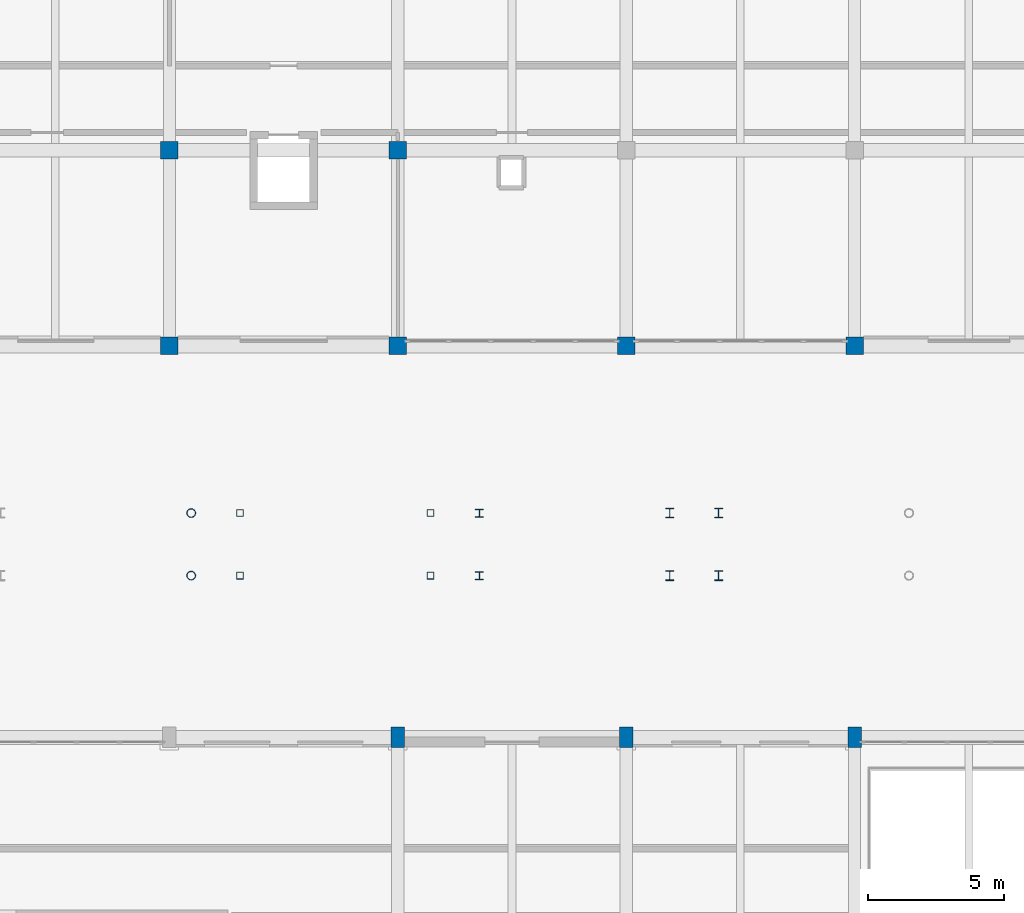
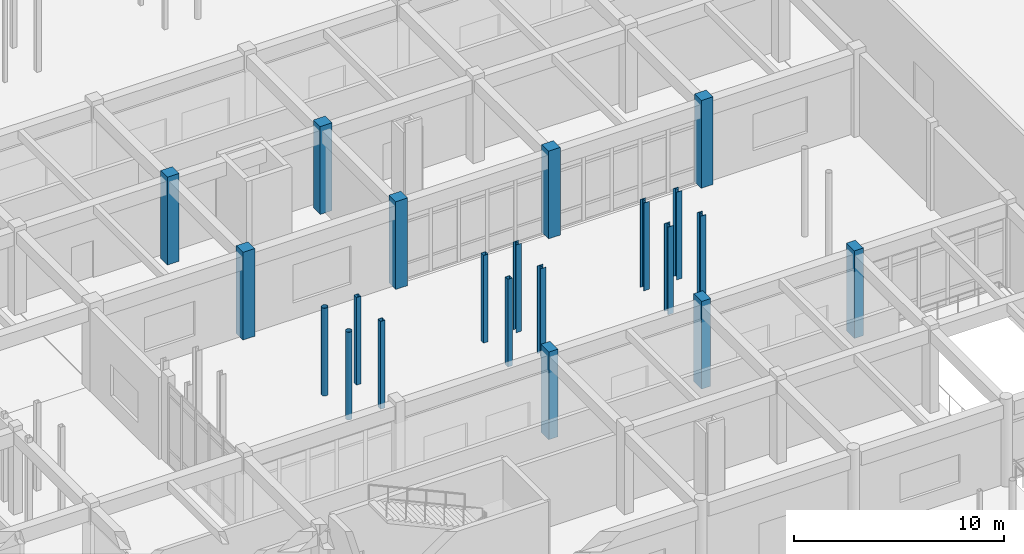
# One storey, part 21 of 121: 21 columns.
"""IFC4 building model written with IfcOpenShell, lengths in metres."""

import ifcopenshell
import ifcopenshell.guid

model = None  # the IFC model being written
_history = None  # IfcOwnerHistory: only IFC2X3 demands one
_inside = {}  # id of a spatial element -> (the spatial element, [elements in it])
_under = {}  # id of a project, library or spatial element -> (it, [spatial elements below it])
_declared = {}  # id of a project -> (the project, [libraries it declares])
_typed = {}  # id of a type object -> (the type object, [elements of that type])
_made_of = {}  # id of a material, layer set ... -> (it, [elements and type objects made of it])


def new_model(schema):
    """Start an empty IFC model of exactly this schema.

    Asked for "IFC4X3", IfcOpenShell would pick the latest addendum, in which some entities
    have other attributes; the version numbers below select the first issue.
    IFC2X3 requires an IfcOwnerHistory on every rooted entity: one is made here for all.
    """
    global model, _history
    if schema == "IFC4X3":
        model = ifcopenshell.file(schema_version=(4, 3, 0, 0))
    else:
        model = ifcopenshell.file(schema=schema)
    _inside.clear()
    _under.clear()
    _declared.clear()
    _typed.clear()
    _made_of.clear()
    _history = None
    if model.schema == "IFC2X3":
        org = make("IfcOrganization", Name="unknown")
        user = make(
            "IfcPersonAndOrganization",
            ThePerson=make("IfcPerson", FamilyName="unknown"),
            TheOrganization=org,
        )
        app = make(
            "IfcApplication",
            ApplicationDeveloper=org,
            Version="unknown",
            ApplicationFullName="unknown",
            ApplicationIdentifier="unknown",
        )
        _history = make(
            "IfcOwnerHistory",
            OwningUser=user,
            OwningApplication=app,
            ChangeAction="ADDED",
            CreationDate=0,
        )
    return model


def make(cls, **values):
    """One entity of the class cls with the attributes given. An attribute that is None is left unset."""
    return model.create_entity(
        cls, **{name: value for name, value in values.items() if value is not None}
    )


def rooted(cls, **values):
    """An entity with a GlobalId (a new one), such as an element, a storey or a relation."""
    return make(cls, GlobalId=ifcopenshell.guid.new(), OwnerHistory=_history, **values)


def si_unit(unit_type, name, prefix=None):
    """IfcSIUnit, for example si_unit("LENGTHUNIT", "METRE", prefix="MILLI")."""
    return make("IfcSIUnit", UnitType=unit_type, Prefix=prefix, Name=name)


def assignment(units):
    """IfcUnitAssignment: the units of a project."""
    return None if units is None else make("IfcUnitAssignment", Units=units)


def point(xyz):
    """IfcCartesianPoint."""
    return None if xyz is None else make("IfcCartesianPoint", Coordinates=xyz)


def direction(xyz):
    """IfcDirection."""
    return None if xyz is None else make("IfcDirection", DirectionRatios=xyz)


def frame(location, z_axis=None, x_axis=None):
    """IfcAxis2Placement3D, a coordinate frame: its origin and axes. An axis left out is left unset."""
    return make(
        "IfcAxis2Placement3D",
        Location=point(location),
        Axis=direction(z_axis),
        RefDirection=direction(x_axis),
    )


def frame_2d(location, x_axis=None):
    """IfcAxis2Placement2D, a coordinate frame in the plane: its origin and x axis."""
    return make(
        "IfcAxis2Placement2D", Location=point(location), RefDirection=direction(x_axis)
    )


def origin():
    """The frame at (0, 0, 0) with its axes left unset."""
    return frame((0.0, 0.0, 0.0))


def origin_2d():
    """The frame at (0, 0) in the plane with its x axis left unset."""
    return frame_2d((0.0, 0.0))


def place(relative_to, where):
    """IfcLocalPlacement: puts the frame where relative to a parent placement (None: the world)."""
    return make(
        "IfcLocalPlacement", PlacementRelTo=relative_to, RelativePlacement=where
    )


def context(
    kind, dimensions, precision=None, world=None, true_north=None, identifier=None
):
    """IfcGeometricRepresentationContext, for example the 3D "Model" context."""
    return make(
        "IfcGeometricRepresentationContext",
        ContextIdentifier=identifier,
        ContextType=kind,
        CoordinateSpaceDimension=dimensions,
        Precision=precision,
        WorldCoordinateSystem=world,
        TrueNorth=true_north,
    )


def subcontext(parent, identifier, kind, view, scale=None):
    """IfcGeometricRepresentationSubContext, for example "Body" below "Model"."""
    return make(
        "IfcGeometricRepresentationSubContext",
        ContextIdentifier=identifier,
        ContextType=kind,
        ParentContext=parent,
        TargetScale=scale,
        TargetView=view,
    )


def project(units=None, contexts=None):
    """IfcProject with its units and contexts."""
    return rooted(
        "IfcProject",
        Name="project",
        RepresentationContexts=contexts,
        UnitsInContext=assignment(units),
    )


def spatial(cls, under=None, at=None, **own):
    """A site, building, storey or space (cls), placed at a placement, below another one or the project."""
    s = rooted(cls, ObjectPlacement=at, **own)
    if under is not None:
        _under.setdefault(under.id(), (under, []))[1].append(s)
    return s


def profile(cls, at=None, kind="AREA", **sizes):
    """A parametric profile (cls). Its sizes go by their IFC names, for example OverallWidth=200.0."""
    return make(cls, ProfileType=kind, Position=at, **sizes)


def rectangle(**sizes):
    """IfcRectangleProfileDef."""
    return profile("IfcRectangleProfileDef", **sizes)


def hollow_rectangle(**sizes):
    """IfcRectangleHollowProfileDef."""
    return profile("IfcRectangleHollowProfileDef", **sizes)


def hollow_circle(**sizes):
    """IfcCircleHollowProfileDef."""
    return profile("IfcCircleHollowProfileDef", **sizes)


def i_section(**sizes):
    """IfcIShapeProfileDef."""
    return profile("IfcIShapeProfileDef", **sizes)


def extrude(swept, where, along, depth):
    """IfcExtrudedAreaSolid: the profile swept, set in the frame where, extruded along a direction by depth."""
    return make(
        "IfcExtrudedAreaSolid",
        SweptArea=swept,
        Position=where,
        ExtrudedDirection=direction(along),
        Depth=depth,
    )


def shape(context_of_items, identifier, shape_type, items):
    """IfcShapeRepresentation: the items that make up one representation, for example the "Body"."""
    return make(
        "IfcShapeRepresentation",
        ContextOfItems=context_of_items,
        RepresentationIdentifier=identifier,
        RepresentationType=shape_type,
        Items=items,
    )


def material(Name=None, Category=None):
    """IfcMaterial."""
    return make("IfcMaterial", Name=Name, Category=Category)


def material_profile(
    of_material, cross_section, Name=None, Category=None, Priority=None
):
    """IfcMaterialProfile: a cross section and its material."""
    return make(
        "IfcMaterialProfile",
        Name=Name,
        Material=of_material,
        Profile=cross_section,
        Priority=Priority,
        Category=Category,
    )


def profile_set(profiles, Name=None, composite=None):
    """IfcMaterialProfileSet."""
    return make(
        "IfcMaterialProfileSet",
        Name=Name,
        MaterialProfiles=profiles,
        CompositeProfile=composite,
    )


def made_of(thing, what):
    """Note that an element or type object is made of a material, layer set ...; save() writes the relation."""
    if what is not None:
        _made_of.setdefault(what.id(), (what, []))[1].append(thing)
    return thing


def type_object(cls, material=None, **own):
    """A type object (cls), such as IfcWallType, which elements share."""
    return made_of(rooted(cls, **own), material)


def element(
    cls,
    number,
    at=None,
    inside=None,
    cuts=None,
    type_object=None,
    material=None,
    context=None,
    identifier="Body",
    shape_type=None,
    held_by="IfcProductDefinitionShape",
    body=None,
    shapes=None,
    **own,
):
    """One element of the class cls, such as IfcWall. Its Tag is "e" and its number.

    at: its placement. inside: the storey or other place that contains it. cuts: it is an
    opening in that element (IfcRelVoidsElement). A single representation is given by context,
    identifier, shape_type and body (its items); several are given by shapes. held_by: the class
    of the entity that holds the representations. save() writes the other relations.
    """
    e = rooted(cls, Tag="e%d" % number, ObjectPlacement=at, **own)
    if body is not None:
        shapes = [shape(context, identifier, shape_type, body)]
    if shapes is not None:
        e.Representation = make(held_by, Representations=shapes)
    if inside is not None:
        _inside.setdefault(inside.id(), (inside, []))[1].append(e)
    if cuts is not None:
        rooted(
            "IfcRelVoidsElement", RelatingBuildingElement=cuts, RelatedOpeningElement=e
        )
    if type_object is not None:
        _typed.setdefault(type_object.id(), (type_object, []))[1].append(e)
    return made_of(e, material)


def aggregate(whole, parts):
    """IfcRelAggregates: a whole, such as a stair, and the parts it consists of."""
    return rooted("IfcRelAggregates", RelatingObject=whole, RelatedObjects=parts)


def save(model, path):
    """Write the relations noted so far, then the file.

    IfcRelAggregates (storeys below a building ...), IfcRelContainedInSpatialStructure (elements
    in a storey), IfcRelDefinesByType, IfcRelAssociatesMaterial and IfcRelDeclares: one each for
    every whole, place, type object, material and project.
    """
    for whole, parts in _under.values():
        aggregate(whole, parts)
    for where, things in _inside.values():
        rooted(
            "IfcRelContainedInSpatialStructure",
            RelatedElements=things,
            RelatingStructure=where,
        )
    for kind, things in _typed.values():
        rooted("IfcRelDefinesByType", RelatedObjects=things, RelatingType=kind)
    for what, things in _made_of.values():
        rooted("IfcRelAssociatesMaterial", RelatedObjects=things, RelatingMaterial=what)
    for by, libraries in _declared.values():
        rooted("IfcRelDeclares", RelatingContext=by, RelatedDefinitions=libraries)
    model.write(path)


model = new_model("IFC4")

# Units and contexts
model_context = context("Model", 3, precision=1e-05, world=origin(), true_north=direction((0.0, 1.0)))
body_context = subcontext(model_context, "Body", "Model", "MODEL_VIEW")
ifc_project = project(units=[si_unit("LENGTHUNIT", "METRE"), si_unit("AREAUNIT", "SQUARE_METRE"), si_unit("VOLUMEUNIT", "CUBIC_METRE"), si_unit("PLANEANGLEUNIT", "RADIAN"), si_unit("MASSUNIT", "GRAM", prefix="KILO")], contexts=[model_context])

# Site, building, storey
site_placement = place(None, origin())
site = spatial("IfcSite", under=ifc_project, at=site_placement, CompositionType="ELEMENT")
building_placement = place(site_placement, origin())
building = spatial("IfcBuilding", under=site, at=building_placement, Name="Malvenik Polytechnic", CompositionType="ELEMENT")
storey_placement = place(building_placement, origin())
storey = spatial("IfcBuildingStorey", under=building, at=storey_placement, Name="L00", CompositionType="ELEMENT", Elevation=0.0)

# Columns
ifc_material_1 = material(Name="Concrete C35/45", Category="concrete")
ifc_material_profile_1 = material_profile(ifc_material_1, rectangle(XDim=0.64990234375, YDim=0.64990234375, at=origin_2d()), Name="RC COL 650x650")
ifc_profile_set_1 = profile_set([ifc_material_profile_1], Name="Concrete C35/45")
column_type_1 = type_object("IfcColumnType", Name="STR-COL-C-05", PredefinedType="COLUMN", material=ifc_profile_set_1)
for number, where, z_axis, x_axis, name in (
    (1, (100.800048828125, 79.199951171875, 0.0), (0.0, 0.0, 1.0), (1.0, 0.0, 0.0), "Column C-05 L00 (100.8,79.2)"),
    (2, (100.800048828125, 86.39990234375, 0.0), (0.0, 0.0, 1.0), (1.0, 0.0, 0.0), "Column C-05 L00 (100.8,86.4)"),
    (3, (109.199951171875, 79.199951171875, 0.0), (0.0, 0.0, 1.0), (1.0, 0.0, 0.0), "Column C-05 L00 (109.2,79.2)"),
    (4, (109.199951171875, 86.39990234375, 0.0), (0.0, 0.0, 1.0), (1.0, 0.0, 0.0), "Column C-05 L00 (109.2,86.4)"),
    (5, (117.60009765625, 79.199951171875, 0.0), (0.0, 0.0, 1.0), (1.0, 0.0, 0.0), "Column C-05 L00 (117.6,79.2)"),
    (6, (126.0, 79.199951171875, 0.0), (0.0, 0.0, 1.0), (1.0, 0.0, 0.0), "Column C-05 L00 (126.0,79.2)"),
):
    element("IfcColumn", number, at=place(storey_placement, frame(where, z_axis=z_axis, x_axis=x_axis)), inside=storey, type_object=column_type_1, Name=name, PredefinedType="COLUMN", context=body_context, shape_type="SweptSolid", body=[
        extrude(rectangle(XDim=0.64990234375, YDim=0.64990234375, at=origin_2d()), origin(), (0.0, 0.0, 1.0), 5.10009765625),
    ])
ifc_material_profile_2 = material_profile(ifc_material_1, rectangle(XDim=0.5, YDim=0.75, at=origin_2d()), Name="RC COL 750x500")
ifc_profile_set_2 = profile_set([ifc_material_profile_2], Name="Concrete C35/45")
column_type_2 = type_object("IfcColumnType", Name="STR-COL-C-14", PredefinedType="COLUMN", material=ifc_profile_set_2)
for number, where, z_axis, x_axis, name in (
    (7, (109.199951171875, 64.800048828125, 0.0), (0.0, 0.0, 1.0), (1.0, 0.0, 0.0), "Column C-14 L00 (109.2,64.8)"),
    (8, (117.60009765625, 64.800048828125, 0.0), (0.0, 0.0, 1.0), (1.0, 0.0, 0.0), "Column C-14 L00 (117.6,64.8)"),
    (9, (126.0, 64.800048828125, 0.0), (0.0, 0.0, 1.0), (1.0, 0.0, 0.0), "Column C-14 L00 (126.0,64.8)"),
):
    element("IfcColumn", number, at=place(storey_placement, frame(where, z_axis=z_axis, x_axis=x_axis)), inside=storey, type_object=column_type_2, Name=name, PredefinedType="COLUMN", context=body_context, shape_type="SweptSolid", body=[
        extrude(rectangle(XDim=0.5, YDim=0.75, at=origin_2d()), origin(), (0.0, 0.0, 1.0), 5.10009765625),
    ])
ifc_material_2 = material(Name="Steel S355J2H", Category="steel")
ifc_material_profile_3 = material_profile(ifc_material_2, hollow_rectangle(XDim=0.25, YDim=0.25, WallThickness=0.010009765625, at=origin_2d()), Name="SHS 250x250x10.0")
ifc_profile_set_3 = profile_set([ifc_material_profile_3], Name="Steel S355J2H")
column_type_3 = type_object("IfcColumnType", Name="STR-SCOL-SC-01", PredefinedType="COLUMN", material=ifc_profile_set_3)
for number, where, z_axis, x_axis, name in (
    (10, (110.39990234375, 70.75, 0.0), (0.0, 0.0, 1.0), (1.0, 0.0, 0.0), "Bridge-Ramp Support Column SC-01 L00"),
    (11, (110.39990234375, 73.050048828125, 0.0), (0.0, 0.0, 1.0), (1.0, 0.0, 0.0), "Bridge-Ramp Support Column SC-01 L00"),
    (12, (103.39990234375, 70.75, 0.0), (0.0, 0.0, 1.0), (1.0, 0.0, 0.0), "Bridge-Ramp Support Column SC-01 L00"),
    (13, (103.39990234375, 73.050048828125, 0.0), (0.0, 0.0, 1.0), (1.0, 0.0, 0.0), "Bridge-Ramp Support Column SC-01 L00"),
):
    element("IfcColumn", number, at=place(storey_placement, frame(where, z_axis=z_axis, x_axis=x_axis)), inside=storey, type_object=column_type_3, Name=name, PredefinedType="COLUMN", context=body_context, shape_type="SweptSolid", body=[
        extrude(hollow_rectangle(XDim=0.25, YDim=0.25, WallThickness=0.010009765625, at=origin_2d()), origin(), (0.0, 0.0, 1.0), 5.10009765625),
    ])
ifc_material_3 = material(Name="Steel S355", Category="steel")
ifc_material_profile_4 = material_profile(ifc_material_3, i_section(OverallWidth=0.300048828125, OverallDepth=0.360107421875, WebThickness=0.012451171875, FlangeThickness=0.0224609375, FilletRadius=0.027099609375, at=origin_2d()), Name="HEB 360")
ifc_profile_set_4 = profile_set([ifc_material_profile_4], Name="Steel S355")
column_type_4 = type_object("IfcColumnType", Name="STR-SCOL-SC-03", PredefinedType="COLUMN", material=ifc_profile_set_4)
for number, where, z_axis, x_axis, name in (
    (14, (121.0, 70.75, 0.0), (0.0, 0.0, 1.0), (1.0, 0.0, 0.0), "Bridge-Ramp Support Column SC-03 L00"),
    (15, (121.0, 73.050048828125, 0.0), (0.0, 0.0, 1.0), (1.0, 0.0, 0.0), "Bridge-Ramp Support Column SC-03 L00"),
    (16, (119.199951171875, 70.75, 0.0), (0.0, 0.0, 1.0), (1.0, 0.0, 0.0), "Bridge-Ramp Support Column SC-03 L00"),
    (17, (119.199951171875, 73.050048828125, 0.0), (0.0, 0.0, 1.0), (1.0, 0.0, 0.0), "Bridge-Ramp Support Column SC-03 L00"),
):
    element("IfcColumn", number, at=place(storey_placement, frame(where, z_axis=z_axis, x_axis=x_axis)), inside=storey, type_object=column_type_4, Name=name, PredefinedType="COLUMN", context=body_context, shape_type="SweptSolid", body=[
        extrude(i_section(OverallWidth=0.300048828125, OverallDepth=0.360107421875, WebThickness=0.012451171875, FlangeThickness=0.0224609375, FilletRadius=0.027099609375, at=origin_2d()), origin(), (0.0, 0.0, 1.0), 5.10009765625),
    ])
ifc_material_profile_5 = material_profile(ifc_material_2, hollow_circle(Radius=0.161865234375, WallThickness=0.012451171875, at=origin_2d()), Name="CHS 323.9x12.5")
ifc_profile_set_5 = profile_set([ifc_material_profile_5], Name="Steel S355J2H")
column_type_5 = type_object("IfcColumnType", Name="STR-SCOL-SC-04", PredefinedType="COLUMN", material=ifc_profile_set_5)
for number, where, z_axis, x_axis, name in (
    (18, (101.60009765625, 70.75, 0.0), (0.0, 0.0, 1.0), (1.0, 0.0, 0.0), "Bridge-Ramp Support Column SC-04 L00"),
    (19, (101.60009765625, 73.050048828125, 0.0), (0.0, 0.0, 1.0), (1.0, 0.0, 0.0), "Bridge-Ramp Support Column SC-04 L00"),
):
    element("IfcColumn", number, at=place(storey_placement, frame(where, z_axis=z_axis, x_axis=x_axis)), inside=storey, type_object=column_type_5, Name=name, PredefinedType="COLUMN", context=body_context, shape_type="SweptSolid", body=[
        extrude(hollow_circle(Radius=0.161865234375, WallThickness=0.012451171875, at=origin_2d()), origin(), (0.0, 0.0, 1.0), 5.10009765625),
    ])
ifc_material_profile_6 = material_profile(ifc_material_3, i_section(OverallWidth=0.300048828125, OverallDepth=0.300048828125, WebThickness=0.010986328125, FlangeThickness=0.01904296875, FilletRadius=0.027099609375, at=origin_2d()), Name="HEB 300")
ifc_profile_set_6 = profile_set([ifc_material_profile_6], Name="Steel S355")
column_type_6 = type_object("IfcColumnType", Name="STR-SCOL-SC-05", PredefinedType="COLUMN", material=ifc_profile_set_6)
for number, where, z_axis, x_axis, name in (
    (20, (112.199951171875, 70.75, 0.0), (0.0, 0.0, 1.0), (1.0, 0.0, 0.0), "Bridge-Ramp Support Column SC-05 L00"),
    (21, (112.199951171875, 73.050048828125, 0.0), (0.0, 0.0, 1.0), (1.0, 0.0, 0.0), "Bridge-Ramp Support Column SC-05 L00"),
):
    element("IfcColumn", number, at=place(storey_placement, frame(where, z_axis=z_axis, x_axis=x_axis)), inside=storey, type_object=column_type_6, Name=name, PredefinedType="COLUMN", context=body_context, shape_type="SweptSolid", body=[
        extrude(i_section(OverallWidth=0.300048828125, OverallDepth=0.300048828125, WebThickness=0.010986328125, FlangeThickness=0.01904296875, FilletRadius=0.027099609375, at=origin_2d()), origin(), (0.0, 0.0, 1.0), 5.10009765625),
    ])

save(model, "model.ifc")
